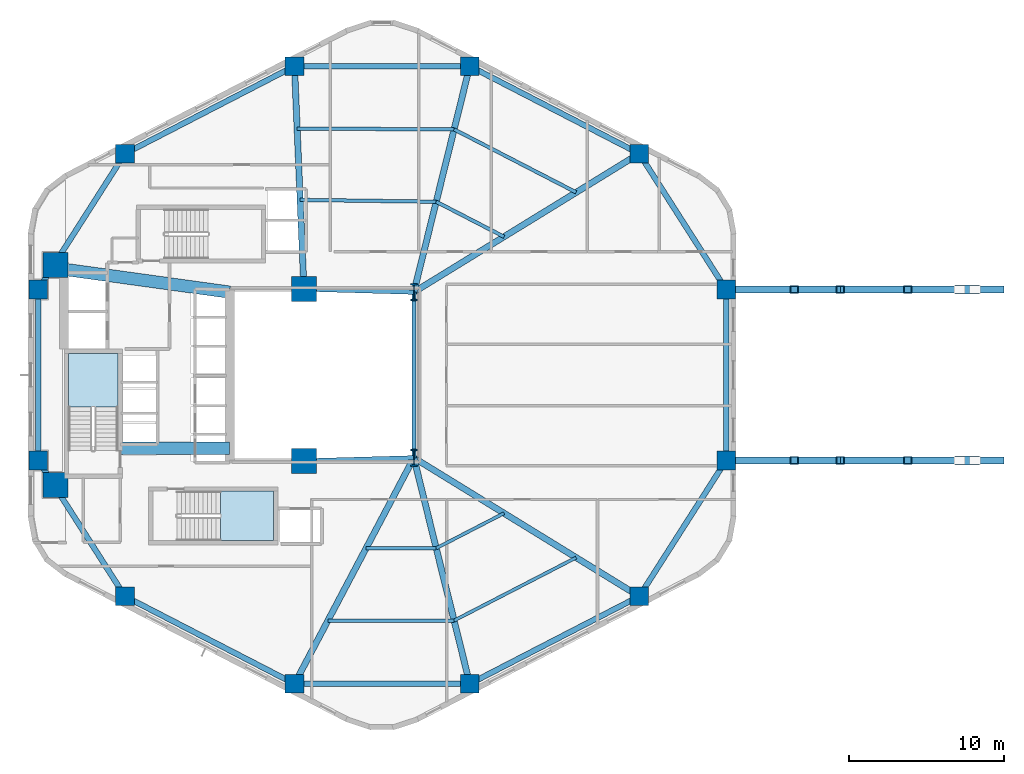
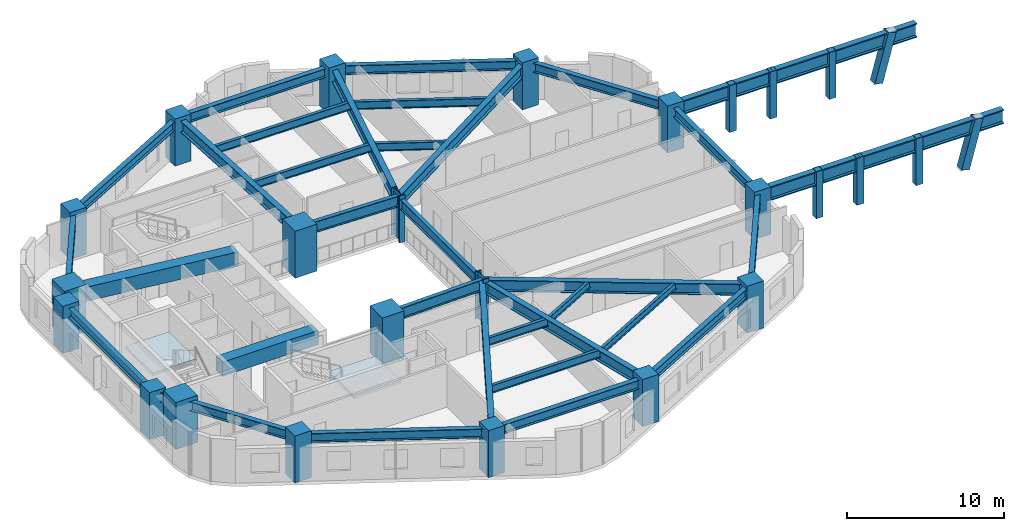
# One storey, part 1 of 7: 35 beams, 18 columns, 8 members, 2 slabs, 2 elements without a shape of their own.
"""IFC4 building model written with IfcOpenShell, lengths in metres."""

from ifc_helpers import new_model, si_unit, direction, frame, origin, origin_2d, place, context, subcontext, project, spatial, polyline, rectangle, hollow_rectangle, i_section, outline, extrude, material, layer, layer_set, material_profile, profile_set, type_object, element, aggregate, save


model = new_model("IFC4")

# Units and contexts
model_context = context("Model", 3, precision=1e-05, world=origin(), true_north=direction((0.0, 1.0)))
body_context = subcontext(model_context, "Body", "Model", "MODEL_VIEW")
ifc_project = project(units=[si_unit("LENGTHUNIT", "METRE"), si_unit("AREAUNIT", "SQUARE_METRE"), si_unit("VOLUMEUNIT", "CUBIC_METRE"), si_unit("PLANEANGLEUNIT", "RADIAN"), si_unit("MASSUNIT", "GRAM", prefix="KILO"), si_unit("THERMODYNAMICTEMPERATUREUNIT", "KELVIN"), si_unit("POWERUNIT", "WATT")], contexts=[model_context])

# Site, building, storey
site_placement = place(None, origin())
site = spatial("IfcSite", under=ifc_project, at=site_placement, CompositionType="ELEMENT")
building_placement = place(site_placement, origin())
building = spatial("IfcBuilding", under=site, at=building_placement, Name="Skarre Station Tower", CompositionType="ELEMENT")
storey_placement = place(building_placement, frame((0.0, 0.0, 48.89990234375)))
storey = spatial("IfcBuildingStorey", under=building, at=storey_placement, Name="L12", CompositionType="ELEMENT", Elevation=48.89990234375)

# Columns
ifc_material_1 = material(Name="Concrete C60/75", Category="concrete")
ifc_material_profile_1 = material_profile(ifc_material_1, rectangle(XDim=1.199951171875, YDim=1.199951171875, at=origin_2d()), Name="Concrete C60/75")
ifc_profile_set_1 = profile_set([ifc_material_profile_1], Name="Concrete C60/75")
column_type_1 = type_object("IfcColumnType", Name="RC Structural Column RC-COL-1200X1200", PredefinedType="COLUMN", material=ifc_profile_set_1)
for number, where, z_axis, x_axis, name in (
    (1, (54.007080078125, 38.298095703125, 0.0), (0.0, 0.0, 1.0), (1.0, 0.0, 0.0), "L12 Zone 1 Perimeter Column F0C1"),
    (2, (43.06005859375, 43.947021484375, 0.0), (0.0, 0.0, 1.0), (1.0, 0.0, 0.0), "L12 Zone 1 Perimeter Column F0C2"),
    (3, (31.739990234375, 43.947021484375, 0.0), (0.0, 0.0, 1.0), (1.0, 0.0, 0.0), "L12 Zone 1 Perimeter Column F1C1"),
    (4, (20.79296875, 38.298095703125, 0.0), (0.0, 0.0, 1.0), (1.0, 0.0, 0.0), "L12 Zone 1 Perimeter Column F1C2"),
    (5, (15.18701171875, 29.52099609375, 0.0), (0.0, 0.0, 1.0), (1.0, 0.0, 0.0), "L12 Zone 1 Perimeter Column F2C1"),
    (6, (15.18701171875, 18.47900390625, 0.0), (0.0, 0.0, 1.0), (1.0, 0.0, 0.0), "L12 Zone 1 Perimeter Column F2C2"),
    (7, (20.79296875, 9.701904296875, 0.0), (0.0, 0.0, 1.0), (1.0, 0.0, 0.0), "L12 Zone 1 Perimeter Column F3C1"),
    (8, (31.739990234375, 4.052978515625, 0.0), (0.0, 0.0, 1.0), (1.0, 0.0, 0.0), "L12 Zone 1 Perimeter Column F3C2"),
    (9, (43.06005859375, 4.052978515625, 0.0), (0.0, 0.0, 1.0), (1.0, 0.0, 0.0), "L12 Zone 1 Perimeter Column F4C1"),
    (10, (54.007080078125, 9.701904296875, 0.0), (0.0, 0.0, 1.0), (1.0, 0.0, 0.0), "L12 Zone 1 Perimeter Column F4C2"),
    (11, (59.613037109375, 18.47900390625, 0.0), (0.0, 0.0, 1.0), (1.0, 0.0, 0.0), "L12 Zone 1 Perimeter Column F5C1"),
    (12, (59.613037109375, 29.52099609375, 0.0), (0.0, 0.0, 1.0), (1.0, 0.0, 0.0), "L12 Zone 1 Perimeter Column F5C2"),
):
    element("IfcColumn", number, at=place(storey_placement, frame(where, z_axis=z_axis, x_axis=x_axis)), inside=storey, type_object=column_type_1, Name=name, PredefinedType="COLUMN", context=body_context, shape_type="SweptSolid", body=[
        extrude(rectangle(XDim=1.199951171875, YDim=1.199951171875, at=origin_2d()), origin(), (0.0, 0.0, 1.0), 3.650146484375),
    ])
ifc_material_2 = material(Name="Concrete C70/85", Category="concrete")
ifc_material_profile_2 = material_profile(ifc_material_2, rectangle(XDim=1.60009765625, YDim=1.60009765625, at=origin_2d()), Name="Concrete C70/85")
ifc_profile_set_2 = profile_set([ifc_material_profile_2], Name="Concrete C70/85")
column_type_2 = type_object("IfcColumnType", Name="RC Structural Column RC-COL-1600X1600", PredefinedType="COLUMN", material=ifc_profile_set_2)
for number, where, z_axis, x_axis, name in (
    (13, (16.300048828125, 16.89990234375, 0.0), (0.0, 0.0, 1.0), (1.0, 0.0, 0.0), "L12 Core Column CC-SW"),
    (14, (16.300048828125, 31.10009765625, 0.0), (0.0, 0.0, 1.0), (1.0, 0.0, 0.0), "L12 Core Column CC-NW"),
    (15, (32.35009765625, 18.449951171875, 0.0), (0.0, 0.0, 1.0), (1.0, 0.0, 0.0), "L12 Core Column CC-SE"),
    (16, (32.35009765625, 29.550048828125, 0.0), (0.0, 0.0, 1.0), (1.0, 0.0, 0.0), "L12 Core Column CC-NE"),
):
    element("IfcColumn", number, at=place(storey_placement, frame(where, z_axis=z_axis, x_axis=x_axis)), inside=storey, type_object=column_type_2, Name=name, PredefinedType="COLUMN", context=body_context, shape_type="SweptSolid", body=[
        extrude(rectangle(XDim=1.60009765625, YDim=1.60009765625, at=origin_2d()), origin(), (0.0, 0.0, 1.0), 3.650146484375),
    ])
ifc_material_3 = material(Name="Steel ASTM A913 Grade 65", Category="steel")
ifc_material_profile_3 = material_profile(ifc_material_3, i_section(OverallWidth=0.424072265625, OverallDepth=1.092041015625, WebThickness=0.044921875, FlangeThickness=0.08203125, at=origin_2d()), Name="Steel ASTM A913 Grade 65")
ifc_profile_set_3 = profile_set([ifc_material_profile_3], Name="Steel ASTM A913 Grade 65")
column_type_3 = type_object("IfcColumnType", Name="Steel Column W40X593", PredefinedType="COLUMN", material=ifc_profile_set_3)
for number, where, z_axis, x_axis, name in (
    (17, (39.449951171875, 18.64990234375, 0.0), (0.0, 0.0, 1.0), (1.0, 0.0, 0.0), "L12 Atrium Spine Column AC-SE"),
    (18, (39.449951171875, 29.35009765625, 0.0), (0.0, 0.0, 1.0), (1.0, 0.0, 0.0), "L12 Atrium Spine Column AC-NE"),
):
    element("IfcColumn", number, at=place(storey_placement, frame(where, z_axis=z_axis, x_axis=x_axis)), inside=storey, type_object=column_type_3, Name=name, PredefinedType="COLUMN", context=body_context, shape_type="SweptSolid", body=[
        extrude(i_section(OverallWidth=0.424072265625, OverallDepth=1.092041015625, WebThickness=0.044921875, FlangeThickness=0.08203125, at=origin_2d()), origin(), (0.0, 0.0, 1.0), 3.650146484375),
    ])

# Beams
ifc_material_profile_4 = material_profile(ifc_material_2, rectangle(XDim=0.800048828125, YDim=1.10009765625, at=origin_2d()), Name="Concrete C70/85")
ifc_profile_set_4 = profile_set([ifc_material_profile_4], Name="Concrete C70/85")
beam_type_1 = type_object("IfcBeamType", Name="RC Core Coupling Lintel 800x1100", PredefinedType="LINTEL", material=ifc_profile_set_4)
beam_1_placement = place(storey_placement, frame((20.489990234375, 19.260009765625, 2.81005859375), z_axis=(1.0, 0.0, 0.0), x_axis=(0.0, 1.0, 0.0)))
element("IfcBeam", 19, at=beam_1_placement, inside=storey, type_object=beam_type_1, Name="L12 South Core Coupling Lintel", PredefinedType="LINTEL", context=body_context, shape_type="SweptSolid", body=[
    extrude(rectangle(XDim=0.800048828125, YDim=1.10009765625, at=origin_2d()), origin(), (0.0, 0.0, 1.0), 7.06005859375),
])
beam_2_placement = place(storey_placement, frame((17.050048828125, 30.800048828125, 2.81005859375), z_axis=(0.990599723633, -0.136792498109, 0.0), x_axis=(0.136792498109, 0.990599723633, 0.0)))
element("IfcBeam", 20, at=beam_2_placement, inside=storey, type_object=beam_type_1, Name="L12 North Core Coupling Lintel", PredefinedType="LINTEL", context=body_context, shape_type="SweptSolid", body=[
    extrude(rectangle(XDim=0.800048828125, YDim=1.10009765625, at=origin_2d()), origin(), (0.0, 0.0, 1.0), 10.599609375),
])
ifc_material_4 = material(Name="Steel ASTM A992 Grade 50", Category="steel")
ifc_material_profile_5 = material_profile(ifc_material_4, i_section(OverallWidth=0.26806640625, OverallDepth=0.77001953125, WebThickness=0.01611328125, FlangeThickness=0.02490234375, at=origin_2d()), Name="Steel ASTM A992 Grade 50")
ifc_profile_set_5 = profile_set([ifc_material_profile_5], Name="Steel ASTM A992 Grade 50")
beam_type_2 = type_object("IfcBeamType", Name="Steel Beam W30X132", PredefinedType="BEAM", material=ifc_profile_set_5)
beam_3_placement = place(storey_placement, frame((39.449951171875, 18.64990234375, 2.97509765625), z_axis=(0.0, 1.0, 0.0), x_axis=(-1.0, 0.0, 0.0)))
element("IfcBeam", 21, at=beam_3_placement, inside=storey, type_object=beam_type_2, Name="L12 Atrium East Edge Girder", PredefinedType="BEAM", context=body_context, shape_type="SweptSolid", body=[
    extrude(i_section(OverallWidth=0.26806640625, OverallDepth=0.77001953125, WebThickness=0.01611328125, FlangeThickness=0.02490234375, at=origin_2d()), origin(), (0.0, 0.0, 1.0), 10.7001953125),
])
ifc_material_profile_6 = material_profile(ifc_material_4, i_section(OverallWidth=0.2919921875, OverallDepth=0.85888671875, WebThickness=0.01708984375, FlangeThickness=0.031005859375, at=origin_2d()), Name="Steel ASTM A992 Grade 50")
ifc_profile_set_6 = profile_set([ifc_material_profile_6], Name="Steel ASTM A992 Grade 50")
beam_type_3 = type_object("IfcBeamType", Name="Steel Beam W33X169", PredefinedType="BEAM", material=ifc_profile_set_6)
for number, where, z_axis, x_axis, name in (
    (22, (32.35009765625, 18.449951171875, 2.93115234375), (0.999603666405, 0.028151556095, 0.0), (-0.028151556095, 0.999603666405, 0.0), "L12 Atrium South Edge Girder"),
    (23, (32.35009765625, 29.550048828125, 2.93115234375), (0.999603666405, -0.028151556095, 0.0), (0.028151556095, 0.999603666405, 0.0), "L12 Atrium North Edge Girder"),
):
    element("IfcBeam", number, at=place(storey_placement, frame(where, z_axis=z_axis, x_axis=x_axis)), inside=storey, type_object=beam_type_3, Name=name, PredefinedType="BEAM", context=body_context, shape_type="SweptSolid", body=[
        extrude(i_section(OverallWidth=0.2919921875, OverallDepth=0.85888671875, WebThickness=0.01708984375, FlangeThickness=0.031005859375, at=origin_2d()), origin(), (0.0, 0.0, 1.0), 7.102783203125),
    ])
ifc_material_profile_7 = material_profile(ifc_material_4, i_section(OverallWidth=0.40087890625, OverallDepth=0.876953125, WebThickness=0.02197265625, FlangeThickness=0.0400390625, at=origin_2d()), Name="Steel ASTM A992 Grade 50")
ifc_profile_set_7 = profile_set([ifc_material_profile_7], Name="Steel ASTM A992 Grade 50")
beam_type_4 = type_object("IfcBeamType", Name="Steel Beam W33X263", PredefinedType="BEAM", material=ifc_profile_set_7)
beam_4_placement = place(storey_placement, frame((39.449951171875, 29.35009765625, 2.922119140625), z_axis=(0.851925565957, 0.523662897358, 0.0), x_axis=(-0.523662897358, 0.851925565957, 0.0)))
element("IfcBeam", 24, at=beam_4_placement, inside=storey, type_object=beam_type_4, Name="L12 Radial Floor Girder F0C1", PredefinedType="BEAM", context=body_context, shape_type="SweptSolid", body=[
    extrude(i_section(OverallWidth=0.40087890625, OverallDepth=0.876953125, WebThickness=0.02197265625, FlangeThickness=0.0400390625, at=origin_2d()), origin(), (0.0, 0.0, 1.0), 17.08740234375),
])
beam_5_placement = place(storey_placement, frame((39.449951171875, 29.35009765625, 2.922119140625), z_axis=(0.240086037639, 0.9707516132, 0.0), x_axis=(-0.9707516132, 0.240086037639, 0.0)))
element("IfcBeam", 25, at=beam_5_placement, inside=storey, type_object=beam_type_4, Name="L12 Radial Floor Girder F0C2", PredefinedType="BEAM", context=body_context, shape_type="SweptSolid", body=[
    extrude(i_section(OverallWidth=0.40087890625, OverallDepth=0.876953125, WebThickness=0.02197265625, FlangeThickness=0.0400390625, at=origin_2d()), origin(), (0.0, 0.0, 1.0), 15.03662109375),
])
beam_6_placement = place(storey_placement, frame((32.35009765625, 29.550048828125, 2.922119140625), z_axis=(-0.042339479433, 0.999103282189, 0.0), x_axis=(-0.999103282189, -0.042339479433, 0.0)))
element("IfcBeam", 26, at=beam_6_placement, inside=storey, type_object=beam_type_4, Name="L12 Radial Floor Girder F1C1", PredefinedType="BEAM", context=body_context, shape_type="SweptSolid", body=[
    extrude(i_section(OverallWidth=0.40087890625, OverallDepth=0.876953125, WebThickness=0.02197265625, FlangeThickness=0.0400390625, at=origin_2d()), origin(), (0.0, 0.0, 1.0), 14.409912109375),
])
beam_7_placement = place(storey_placement, frame((39.449951171875, 18.64990234375, 2.922119140625), z_axis=(-0.467044240884, -0.884233949279, 0.0), x_axis=(0.884233949279, -0.467044240884, 0.0)))
element("IfcBeam", 27, at=beam_7_placement, inside=storey, type_object=beam_type_4, Name="L12 Radial Floor Girder F3C2", PredefinedType="BEAM", context=body_context, shape_type="SweptSolid", body=[
    extrude(i_section(OverallWidth=0.40087890625, OverallDepth=0.876953125, WebThickness=0.02197265625, FlangeThickness=0.0400390625, at=origin_2d()), origin(), (0.0, 0.0, 1.0), 16.508056640625),
])
beam_8_placement = place(storey_placement, frame((39.449951171875, 18.64990234375, 2.922119140625), z_axis=(0.240086037639, -0.9707516132, 0.0), x_axis=(0.9707516132, 0.240086037639, 0.0)))
element("IfcBeam", 28, at=beam_8_placement, inside=storey, type_object=beam_type_4, Name="L12 Radial Floor Girder F4C1", PredefinedType="BEAM", context=body_context, shape_type="SweptSolid", body=[
    extrude(i_section(OverallWidth=0.40087890625, OverallDepth=0.876953125, WebThickness=0.02197265625, FlangeThickness=0.0400390625, at=origin_2d()), origin(), (0.0, 0.0, 1.0), 15.03662109375),
])
beam_9_placement = place(storey_placement, frame((39.449951171875, 18.64990234375, 2.922119140625), z_axis=(0.851925565957, -0.523662897358, 0.0), x_axis=(0.523662897358, 0.851925565957, 0.0)))
element("IfcBeam", 29, at=beam_9_placement, inside=storey, type_object=beam_type_4, Name="L12 Radial Floor Girder F4C2", PredefinedType="BEAM", context=body_context, shape_type="SweptSolid", body=[
    extrude(i_section(OverallWidth=0.40087890625, OverallDepth=0.876953125, WebThickness=0.02197265625, FlangeThickness=0.0400390625, at=origin_2d()), origin(), (0.0, 0.0, 1.0), 17.08740234375),
])
ifc_material_profile_8 = material_profile(ifc_material_4, i_section(OverallWidth=0.208984375, OverallDepth=0.532958984375, WebThickness=0.010009765625, FlangeThickness=0.01611328125, at=origin_2d()), Name="Steel ASTM A992 Grade 50")
ifc_profile_set_8 = profile_set([ifc_material_profile_8], Name="Steel ASTM A992 Grade 50")
beam_type_5 = type_object("IfcBeamType", Name="Steel Joist W21X62", PredefinedType="JOIST", material=ifc_profile_set_8)
beam_10_placement = place(storey_placement, frame((40.89404296875, 12.81103515625, 3.093017578125), z_axis=(0.888626519249, 0.458631561591, 0.0), x_axis=(-0.458631561591, 0.888626519249, 0.0)))
element("IfcBeam", 30, at=beam_10_placement, inside=storey, type_object=beam_type_5, Name="L12 Auxiliary Composite Joist 7", PredefinedType="JOIST", context=body_context, shape_type="SweptSolid", body=[
    extrude(i_section(OverallWidth=0.208984375, OverallDepth=0.532958984375, WebThickness=0.010009765625, FlangeThickness=0.01611328125, at=origin_2d()), origin(), (0.0, 0.0, 1.0), 4.927734375),
])
beam_11_placement = place(storey_placement, frame((42.049072265625, 8.139892578125, 3.093017578125), z_axis=(0.88866227096, 0.458562283853, 0.0), x_axis=(-0.458562283853, 0.88866227096, 0.0)))
element("IfcBeam", 31, at=beam_11_placement, inside=storey, type_object=beam_type_5, Name="L12 Auxiliary Composite Joist 8", PredefinedType="JOIST", context=body_context, shape_type="SweptSolid", body=[
    extrude(i_section(OverallWidth=0.208984375, OverallDepth=0.532958984375, WebThickness=0.010009765625, FlangeThickness=0.01611328125, at=origin_2d()), origin(), (0.0, 0.0, 1.0), 8.869384765625),
])
ifc_material_profile_9 = material_profile(ifc_material_4, i_section(OverallWidth=0.22802734375, OverallDepth=0.60791015625, WebThickness=0.010986328125, FlangeThickness=0.01708984375, at=origin_2d()), Name="Steel ASTM A992 Grade 50")
ifc_profile_set_9 = profile_set([ifc_material_profile_9], Name="Steel ASTM A992 Grade 50")
beam_type_6 = type_object("IfcBeamType", Name="Steel Joist W24X76", PredefinedType="JOIST", material=ifc_profile_set_9)
beam_12_placement = place(storey_placement, frame((45.27294921875, 32.928955078125, 3.05615234375), z_axis=(-0.888626519249, 0.458631561591, 0.0), x_axis=(-0.458631561591, -0.888626519249, 0.0)))
element("IfcBeam", 32, at=beam_12_placement, inside=storey, type_object=beam_type_6, Name="L12 Secondary Floor Joist 1", PredefinedType="JOIST", context=body_context, shape_type="SweptSolid", body=[
    extrude(i_section(OverallWidth=0.22802734375, OverallDepth=0.60791015625, WebThickness=0.010986328125, FlangeThickness=0.01708984375, at=origin_2d()), origin(), (0.0, 0.0, 1.0), 4.927734375),
])
beam_13_placement = place(storey_placement, frame((49.930908203125, 35.79296875, 3.05615234375), z_axis=(-0.88866227096, 0.458562283853, 0.0), x_axis=(-0.458562283853, -0.88866227096, 0.0)))
element("IfcBeam", 33, at=beam_13_placement, inside=storey, type_object=beam_type_6, Name="L12 Secondary Floor Joist 2", PredefinedType="JOIST", context=body_context, shape_type="SweptSolid", body=[
    extrude(i_section(OverallWidth=0.22802734375, OverallDepth=0.60791015625, WebThickness=0.010986328125, FlangeThickness=0.01708984375, at=origin_2d()), origin(), (0.0, 0.0, 1.0), 8.869384765625),
])
beam_14_placement = place(storey_placement, frame((40.89404296875, 35.18896484375, 3.05615234375), z_axis=(-0.999906603441, 0.013666908792, 0.0), x_axis=(-0.013666908792, -0.999906603441, 0.0)))
element("IfcBeam", 34, at=beam_14_placement, inside=storey, type_object=beam_type_6, Name="L12 Secondary Floor Joist 3", PredefinedType="JOIST", context=body_context, shape_type="SweptSolid", body=[
    extrude(i_section(OverallWidth=0.22802734375, OverallDepth=0.60791015625, WebThickness=0.010986328125, FlangeThickness=0.01708984375, at=origin_2d()), origin(), (0.0, 0.0, 1.0), 8.788818359375),
])
beam_15_placement = place(storey_placement, frame((42.049072265625, 39.860107421875, 3.05615234375), z_axis=(-0.999984794845, 0.005514533498, 0.0), x_axis=(-0.005514533498, -0.999984794845, 0.0)))
element("IfcBeam", 35, at=beam_15_placement, inside=storey, type_object=beam_type_6, Name="L12 Secondary Floor Joist 4", PredefinedType="JOIST", context=body_context, shape_type="SweptSolid", body=[
    extrude(i_section(OverallWidth=0.22802734375, OverallDepth=0.60791015625, WebThickness=0.010986328125, FlangeThickness=0.01708984375, at=origin_2d()), origin(), (0.0, 0.0, 1.0), 10.138427734375),
])
beam_16_placement = place(storey_placement, frame((36.365966796875, 12.81103515625, 3.05615234375), z_axis=(1.0, 0.0, 0.0), x_axis=(0.0, 1.0, 0.0)))
element("IfcBeam", 36, at=beam_16_placement, inside=storey, type_object=beam_type_6, Name="L12 Secondary Floor Joist 5", PredefinedType="JOIST", context=body_context, shape_type="SweptSolid", body=[
    extrude(i_section(OverallWidth=0.22802734375, OverallDepth=0.60791015625, WebThickness=0.010986328125, FlangeThickness=0.01708984375, at=origin_2d()), origin(), (0.0, 0.0, 1.0), 4.528076171875),
])
beam_17_placement = place(storey_placement, frame((33.89892578125, 8.139892578125, 3.05615234375), z_axis=(1.0, 0.0, 0.0), x_axis=(0.0, 1.0, 0.0)))
element("IfcBeam", 37, at=beam_17_placement, inside=storey, type_object=beam_type_6, Name="L12 Secondary Floor Joist 6", PredefinedType="JOIST", context=body_context, shape_type="SweptSolid", body=[
    extrude(i_section(OverallWidth=0.22802734375, OverallDepth=0.60791015625, WebThickness=0.010986328125, FlangeThickness=0.01708984375, at=origin_2d()), origin(), (0.0, 0.0, 1.0), 8.150146484375),
])
ifc_material_profile_10 = material_profile(ifc_material_4, i_section(OverallWidth=0.35791015625, OverallDepth=0.7060546875, WebThickness=0.01806640625, FlangeThickness=0.030029296875, at=origin_2d()), Name="Steel ASTM A992 Grade 50")
ifc_profile_set_10 = profile_set([ifc_material_profile_10], Name="Steel ASTM A992 Grade 50")
beam_type_7 = type_object("IfcBeamType", Name="Steel Spandrel W27X178", PredefinedType="SPANDREL", material=ifc_profile_set_10)
beam_18_placement = place(storey_placement, frame((54.007080078125, 38.298095703125, 3.007080078125), z_axis=(-0.888658695823, 0.458569212158, 0.0), x_axis=(-0.458569212158, -0.888658695823, 0.0)))
element("IfcBeam", 38, at=beam_18_placement, inside=storey, type_object=beam_type_7, Name="L12 Facet Spandrel Beam 1", PredefinedType="SPANDREL", context=body_context, shape_type="SweptSolid", body=[
    extrude(i_section(OverallWidth=0.35791015625, OverallDepth=0.7060546875, WebThickness=0.01806640625, FlangeThickness=0.030029296875, at=origin_2d()), origin(), (0.0, 0.0, 1.0), 12.318603515625),
])
beam_19_placement = place(storey_placement, frame((43.06005859375, 43.947021484375, 3.007080078125), z_axis=(-1.0, 0.0, 0.0), x_axis=(0.0, -1.0, 0.0)))
element("IfcBeam", 39, at=beam_19_placement, inside=storey, type_object=beam_type_7, Name="L12 Facet Spandrel Beam 2", PredefinedType="SPANDREL", context=body_context, shape_type="SweptSolid", body=[
    extrude(i_section(OverallWidth=0.35791015625, OverallDepth=0.7060546875, WebThickness=0.01806640625, FlangeThickness=0.030029296875, at=origin_2d()), origin(), (0.0, 0.0, 1.0), 11.320068359375),
])
beam_20_placement = place(storey_placement, frame((31.739990234375, 43.947021484375, 3.007080078125), z_axis=(-0.888658695823, -0.458569212158, 0.0), x_axis=(0.458569212158, -0.888658695823, 0.0)))
element("IfcBeam", 40, at=beam_20_placement, inside=storey, type_object=beam_type_7, Name="L12 Facet Spandrel Beam 3", PredefinedType="SPANDREL", context=body_context, shape_type="SweptSolid", body=[
    extrude(i_section(OverallWidth=0.35791015625, OverallDepth=0.7060546875, WebThickness=0.01806640625, FlangeThickness=0.030029296875, at=origin_2d()), origin(), (0.0, 0.0, 1.0), 12.318603515625),
])
beam_21_placement = place(storey_placement, frame((20.79296875, 38.298095703125, 3.007080078125), z_axis=(-0.538277829225, -0.842767452246, 0.0), x_axis=(0.842767452246, -0.538277829225, 0.0)))
element("IfcBeam", 41, at=beam_21_placement, inside=storey, type_object=beam_type_7, Name="L12 Facet Spandrel Beam 4", PredefinedType="SPANDREL", context=body_context, shape_type="SweptSolid", body=[
    extrude(i_section(OverallWidth=0.35791015625, OverallDepth=0.7060546875, WebThickness=0.01806640625, FlangeThickness=0.030029296875, at=origin_2d()), origin(), (0.0, 0.0, 1.0), 10.41455078125),
])
beam_22_placement = place(storey_placement, frame((15.18701171875, 29.52099609375, 3.007080078125), z_axis=(0.0, -1.0, 0.0), x_axis=(1.0, 0.0, 0.0)))
element("IfcBeam", 42, at=beam_22_placement, inside=storey, type_object=beam_type_7, Name="L12 Facet Spandrel Beam 5", PredefinedType="SPANDREL", context=body_context, shape_type="SweptSolid", body=[
    extrude(i_section(OverallWidth=0.35791015625, OverallDepth=0.7060546875, WebThickness=0.01806640625, FlangeThickness=0.030029296875, at=origin_2d()), origin(), (0.0, 0.0, 1.0), 11.0419921875),
])
beam_23_placement = place(storey_placement, frame((15.18701171875, 18.47900390625, 3.007080078125), z_axis=(0.538277829225, -0.842767452246, 0.0), x_axis=(0.842767452246, 0.538277829225, 0.0)))
element("IfcBeam", 43, at=beam_23_placement, inside=storey, type_object=beam_type_7, Name="L12 Facet Spandrel Beam 6", PredefinedType="SPANDREL", context=body_context, shape_type="SweptSolid", body=[
    extrude(i_section(OverallWidth=0.35791015625, OverallDepth=0.7060546875, WebThickness=0.01806640625, FlangeThickness=0.030029296875, at=origin_2d()), origin(), (0.0, 0.0, 1.0), 10.41455078125),
])
beam_24_placement = place(storey_placement, frame((20.79296875, 9.701904296875, 3.007080078125), z_axis=(0.888658695823, -0.458569212158, 0.0), x_axis=(0.458569212158, 0.888658695823, 0.0)))
element("IfcBeam", 44, at=beam_24_placement, inside=storey, type_object=beam_type_7, Name="L12 Facet Spandrel Beam 7", PredefinedType="SPANDREL", context=body_context, shape_type="SweptSolid", body=[
    extrude(i_section(OverallWidth=0.35791015625, OverallDepth=0.7060546875, WebThickness=0.01806640625, FlangeThickness=0.030029296875, at=origin_2d()), origin(), (0.0, 0.0, 1.0), 12.318603515625),
])
beam_25_placement = place(storey_placement, frame((31.739990234375, 4.052978515625, 3.007080078125), z_axis=(1.0, 0.0, 0.0), x_axis=(0.0, 1.0, 0.0)))
element("IfcBeam", 45, at=beam_25_placement, inside=storey, type_object=beam_type_7, Name="L12 Facet Spandrel Beam 8", PredefinedType="SPANDREL", context=body_context, shape_type="SweptSolid", body=[
    extrude(i_section(OverallWidth=0.35791015625, OverallDepth=0.7060546875, WebThickness=0.01806640625, FlangeThickness=0.030029296875, at=origin_2d()), origin(), (0.0, 0.0, 1.0), 11.320068359375),
])
beam_26_placement = place(storey_placement, frame((43.06005859375, 4.052978515625, 3.007080078125), z_axis=(0.888658695823, 0.458569212158, 0.0), x_axis=(-0.458569212158, 0.888658695823, 0.0)))
element("IfcBeam", 46, at=beam_26_placement, inside=storey, type_object=beam_type_7, Name="L12 Facet Spandrel Beam 9", PredefinedType="SPANDREL", context=body_context, shape_type="SweptSolid", body=[
    extrude(i_section(OverallWidth=0.35791015625, OverallDepth=0.7060546875, WebThickness=0.01806640625, FlangeThickness=0.030029296875, at=origin_2d()), origin(), (0.0, 0.0, 1.0), 12.318603515625),
])
beam_27_placement = place(storey_placement, frame((54.007080078125, 9.701904296875, 3.007080078125), z_axis=(0.538277829225, 0.842767452246, 0.0), x_axis=(-0.842767452246, 0.538277829225, 0.0)))
element("IfcBeam", 47, at=beam_27_placement, inside=storey, type_object=beam_type_7, Name="L12 Facet Spandrel Beam 10", PredefinedType="SPANDREL", context=body_context, shape_type="SweptSolid", body=[
    extrude(i_section(OverallWidth=0.35791015625, OverallDepth=0.7060546875, WebThickness=0.01806640625, FlangeThickness=0.030029296875, at=origin_2d()), origin(), (0.0, 0.0, 1.0), 10.41455078125),
])
beam_28_placement = place(storey_placement, frame((59.613037109375, 18.47900390625, 3.007080078125), z_axis=(0.0, 1.0, 0.0), x_axis=(-1.0, 0.0, 0.0)))
element("IfcBeam", 48, at=beam_28_placement, inside=storey, type_object=beam_type_7, Name="L12 Facet Spandrel Beam 11", PredefinedType="SPANDREL", context=body_context, shape_type="SweptSolid", body=[
    extrude(i_section(OverallWidth=0.35791015625, OverallDepth=0.7060546875, WebThickness=0.01806640625, FlangeThickness=0.030029296875, at=origin_2d()), origin(), (0.0, 0.0, 1.0), 11.0419921875),
])
beam_29_placement = place(storey_placement, frame((59.613037109375, 29.52099609375, 3.007080078125), z_axis=(-0.538277829225, 0.842767452246, 0.0), x_axis=(-0.842767452246, -0.538277829225, 0.0)))
element("IfcBeam", 49, at=beam_29_placement, inside=storey, type_object=beam_type_7, Name="L12 Facet Spandrel Beam 12", PredefinedType="SPANDREL", context=body_context, shape_type="SweptSolid", body=[
    extrude(i_section(OverallWidth=0.35791015625, OverallDepth=0.7060546875, WebThickness=0.01806640625, FlangeThickness=0.030029296875, at=origin_2d()), origin(), (0.0, 0.0, 1.0), 10.41455078125),
])
ifc_material_profile_11 = material_profile(ifc_material_3, i_section(OverallWidth=0.424072265625, OverallDepth=1.092041015625, WebThickness=0.044921875, FlangeThickness=0.08203125, at=origin_2d()), Name="Steel ASTM A913 Grade 65")
ifc_profile_set_11 = profile_set([ifc_material_profile_11], Name="Steel ASTM A913 Grade 65")
beam_type_8 = type_object("IfcBeamType", Name="Steel Transfer Girder W40X593", PredefinedType="USERDEFINED", material=ifc_profile_set_11)
beam_30_placement = place(storey_placement, frame((59.613037109375, 18.47900390625, 2.814208984375), z_axis=(1.0, 0.0, 0.0), x_axis=(0.0, 1.0, 0.0)))
element("IfcBeam", 50, at=beam_30_placement, inside=storey, type_object=beam_type_8, Name="L12 SB-1 Inner Sky-Bar Transfer Girder S1", ObjectType="TRANSFER_GIRDER", PredefinedType="USERDEFINED", context=body_context, shape_type="SweptSolid", body=[
    extrude(i_section(OverallWidth=0.424072265625, OverallDepth=1.092041015625, WebThickness=0.044921875, FlangeThickness=0.08203125, at=origin_2d()), origin(), (0.0, 0.0, 1.0), 7.3798828125),
])
beam_31_placement = place(storey_placement, frame((66.992919921875, 18.47900390625, 2.814208984375), z_axis=(1.0, 0.0, 0.0), x_axis=(0.0, 1.0, 0.0)))
element("IfcBeam", 51, at=beam_31_placement, inside=storey, type_object=beam_type_8, Name="L12 SB-1 Outer Sky-Bar Transfer Girder S1", ObjectType="TRANSFER_GIRDER", PredefinedType="USERDEFINED", context=body_context, shape_type="SweptSolid", body=[
    extrude(i_section(OverallWidth=0.424072265625, OverallDepth=1.092041015625, WebThickness=0.044921875, FlangeThickness=0.08203125, at=origin_2d()), origin(), (0.0, 0.0, 1.0), 10.570068359375),
])
beam_32_placement = place(storey_placement, frame((59.613037109375, 29.52099609375, 2.814208984375), z_axis=(1.0, 0.0, 0.0), x_axis=(0.0, 1.0, 0.0)))
element("IfcBeam", 52, at=beam_32_placement, inside=storey, type_object=beam_type_8, Name="L12 SB-1 Inner Sky-Bar Transfer Girder S2", ObjectType="TRANSFER_GIRDER", PredefinedType="USERDEFINED", context=body_context, shape_type="SweptSolid", body=[
    extrude(i_section(OverallWidth=0.424072265625, OverallDepth=1.092041015625, WebThickness=0.044921875, FlangeThickness=0.08203125, at=origin_2d()), origin(), (0.0, 0.0, 1.0), 7.3798828125),
])
beam_33_placement = place(storey_placement, frame((66.992919921875, 29.52099609375, 2.814208984375), z_axis=(1.0, 0.0, 0.0), x_axis=(0.0, 1.0, 0.0)))
element("IfcBeam", 53, at=beam_33_placement, inside=storey, type_object=beam_type_8, Name="L12 SB-1 Outer Sky-Bar Transfer Girder S2", ObjectType="TRANSFER_GIRDER", PredefinedType="USERDEFINED", context=body_context, shape_type="SweptSolid", body=[
    extrude(i_section(OverallWidth=0.424072265625, OverallDepth=1.092041015625, WebThickness=0.044921875, FlangeThickness=0.08203125, at=origin_2d()), origin(), (0.0, 0.0, 1.0), 10.570068359375),
])

# Members
ifc_material_5 = material(Name="Steel ASTM A501 Grade B", Category="steel")
ifc_material_profile_12 = material_profile(ifc_material_5, hollow_rectangle(XDim=0.5, YDim=0.5, WallThickness=0.02490234375, at=origin_2d()), Name="Steel ASTM A501 Grade B")
ifc_profile_set_12 = profile_set([ifc_material_profile_12], Name="Steel ASTM A501 Grade B")
member_type_1 = type_object("IfcMemberType", Name="Steel Truss Strut HSS500X500X25", PredefinedType="STRUT", material=ifc_profile_set_12)
for number, where, z_axis, x_axis, name in (
    (54, (64.012939453125, 18.47900390625, -0.27978515625), (0.0, 0.0, 1.0), (1.0, 0.0, 0.0), "L12 SB-1 Exoskeleton Post Tier 4-1 S1"),
    (55, (66.992919921875, 18.47900390625, -0.27978515625), (0.0, 0.0, 1.0), (1.0, 0.0, 0.0), "L12 SB-1 Exoskeleton Post Tier 4-2 S1"),
    (56, (71.343017578125, 18.47900390625, -0.27978515625), (0.0, 0.0, 1.0), (1.0, 0.0, 0.0), "L12 SB-1 Exoskeleton Post Tier 4-3 S1"),
    (57, (64.012939453125, 29.52099609375, -0.27978515625), (0.0, 0.0, 1.0), (1.0, 0.0, 0.0), "L12 SB-1 Exoskeleton Post Tier 4-1 S2"),
    (58, (66.992919921875, 29.52099609375, -0.27978515625), (0.0, 0.0, 1.0), (1.0, 0.0, 0.0), "L12 SB-1 Exoskeleton Post Tier 4-2 S2"),
    (59, (71.343017578125, 29.52099609375, -0.27978515625), (0.0, 0.0, 1.0), (1.0, 0.0, 0.0), "L12 SB-1 Exoskeleton Post Tier 4-3 S2"),
):
    element("IfcMember", number, at=place(storey_placement, frame(where, z_axis=z_axis, x_axis=x_axis)), inside=storey, type_object=member_type_1, Name=name, PredefinedType="STRUT", context=body_context, shape_type="SweptSolid", body=[
        extrude(hollow_rectangle(XDim=0.5, YDim=0.5, WallThickness=0.02490234375, at=origin_2d()), origin(), (0.0, 0.0, 1.0), 3.639892578125),
    ])
ifc_material_profile_13 = material_profile(ifc_material_5, hollow_rectangle(XDim=0.60009765625, YDim=0.60009765625, WallThickness=0.028076171875, at=origin_2d()), Name="Steel ASTM A501 Grade B")
ifc_profile_set_13 = profile_set([ifc_material_profile_13], Name="Steel ASTM A501 Grade B")
member_type_2 = type_object("IfcMemberType", Name="Steel Truss Strut HSS600X600X28", PredefinedType="STRUT", material=ifc_profile_set_13)
for number, where, z_axis, x_axis, name in (
    (60, (74.693115234375, 18.47900390625, -0.27978515625), (0.264917458927, 0.0, 0.964271092565), (0.0, 1.0, 0.0), "L12 SB-1 Exoskeleton Raking Strut Tier 4 S1"),
    (61, (74.693115234375, 29.52099609375, -0.27978515625), (0.264917458927, 0.0, 0.964271092565), (0.0, 1.0, 0.0), "L12 SB-1 Exoskeleton Raking Strut Tier 4 S2"),
):
    element("IfcMember", number, at=place(storey_placement, frame(where, z_axis=z_axis, x_axis=x_axis)), inside=storey, type_object=member_type_2, Name=name, PredefinedType="STRUT", context=body_context, shape_type="SweptSolid", body=[
        extrude(hollow_rectangle(XDim=0.60009765625, YDim=0.60009765625, WallThickness=0.028076171875, at=origin_2d()), origin(), (0.0, 0.0, 1.0), 3.774658203125),
    ])

# Stair, slab
ifc_material_6 = material(Name="Concrete C40/50", Category="concrete")
stair_type_1 = type_object("IfcStairType", Name="Reinforced Concrete Exit Stair ST-1", PredefinedType="HALF_TURN_STAIR", material=ifc_material_6)
stair_1_placement = place(storey_placement, origin())
stair_1 = element("IfcStair", 62, at=stair_1_placement, inside=storey, type_object=stair_type_1, Name="L12 Core Exit Stair ST-1", PredefinedType="HALF_TURN_STAIR")
ifc_layer = layer(ifc_material_6, 0.219970703125, Name="Concrete C40/50")
ifc_layer_set = layer_set([ifc_layer], Name="Concrete C40/50")
slab_type = type_object("IfcSlabType", Name="Reinforced Concrete Stair & Ramp Landing 220", PredefinedType="LANDING", material=ifc_layer_set)
slab_1_placement = place(storey_placement, frame((0.0, 0.0, 1.625)))
slab_1 = element("IfcSlab", 63, at=slab_1_placement, type_object=slab_type, Name="ST-1 landing 1", PredefinedType="LANDING", context=body_context, shape_type="SweptSolid", body=[
    extrude(outline(polyline([(20.35009765625, 21.919921875), (20.35009765625, 25.39990234375), (17.14990234375, 25.39990234375), (17.14990234375, 21.919921875), (20.35009765625, 21.919921875)])), origin(), (0.0, 0.0, 1.0), 0.2001953125),
])
aggregate(stair_1, [slab_1])

stair_type_2 = type_object("IfcStairType", Name="Reinforced Concrete Exit Stair ST-2", PredefinedType="HALF_TURN_STAIR", material=ifc_material_6)
stair_2_placement = place(storey_placement, origin())
stair_2 = element("IfcStair", 64, at=stair_2_placement, inside=storey, type_object=stair_type_2, Name="L12 Core Exit Stair ST-2", PredefinedType="HALF_TURN_STAIR")
slab_2_placement = place(storey_placement, frame((0.0, 0.0, 1.625)))
slab_2 = element("IfcSlab", 65, at=slab_2_placement, type_object=slab_type, Name="ST-2 landing 1", PredefinedType="LANDING", context=body_context, shape_type="SweptSolid", body=[
    extrude(outline(polyline([(26.949951171875, 13.300048828125), (30.39990234375, 13.300048828125), (30.39990234375, 16.5), (26.949951171875, 16.5), (26.949951171875, 13.300048828125)])), origin(), (0.0, 0.0, 1.0), 0.2001953125),
])
aggregate(stair_2, [slab_2])

save(model, "model.ifc")
